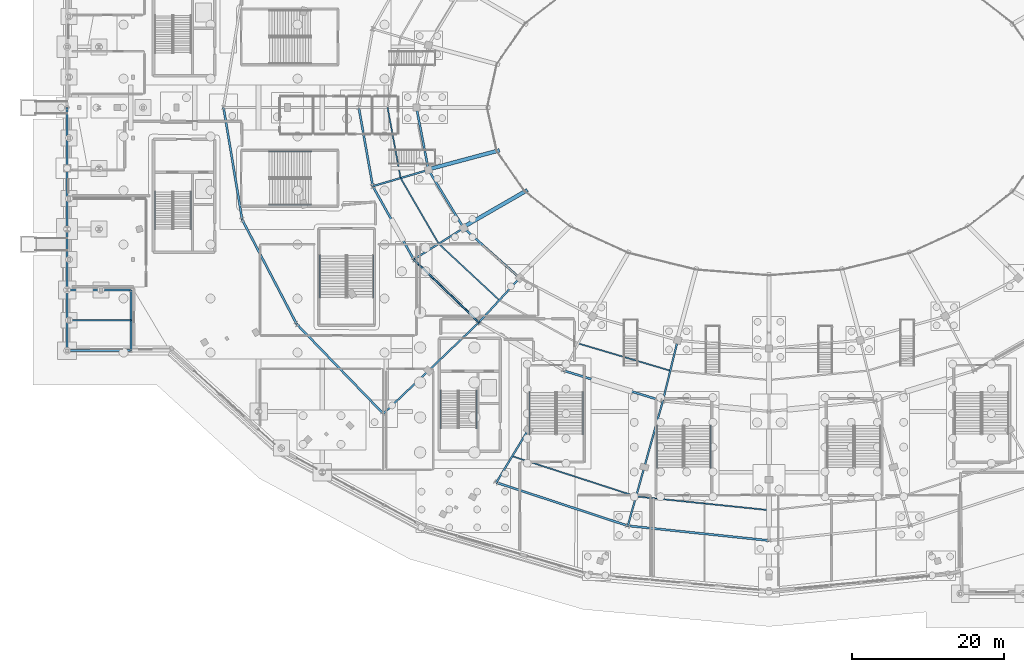
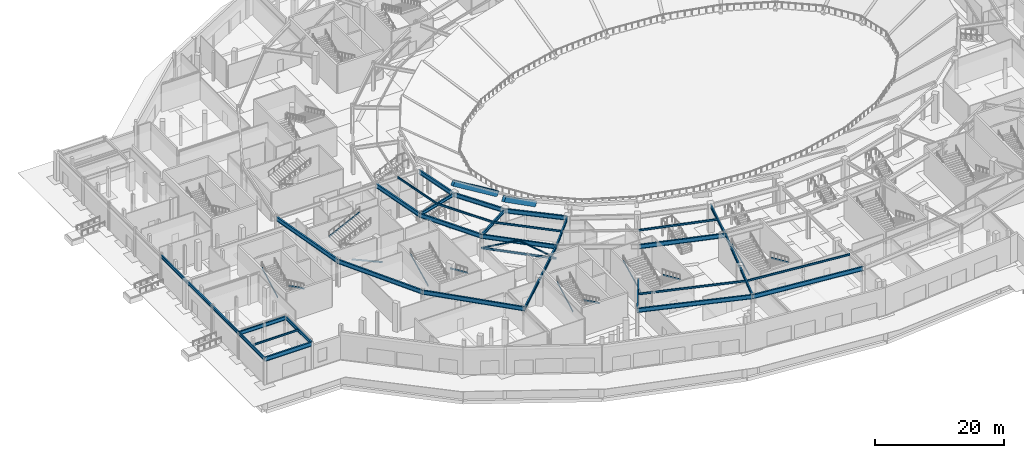
# One storey, part 33 of 93: 38 beams, 14 members.
"""IFC4 building model written with IfcOpenShell, lengths in metres."""

from ifc_helpers import new_model, si_unit, direction, frame, origin, origin_2d, place, context, subcontext, project, spatial, rectangle, hollow_circle, i_section, extrude, material, material_profile, profile_set, type_object, element, save


model = new_model("IFC4")

# Units and contexts
model_context = context("Model", 3, precision=1e-05, world=origin(), true_north=direction((0.0, 1.0)))
body_context = subcontext(model_context, "Body", "Model", "MODEL_VIEW")
ifc_project = project(units=[si_unit("LENGTHUNIT", "METRE"), si_unit("AREAUNIT", "SQUARE_METRE"), si_unit("VOLUMEUNIT", "CUBIC_METRE"), si_unit("PLANEANGLEUNIT", "RADIAN"), si_unit("MASSUNIT", "GRAM", prefix="KILO")], contexts=[model_context])

# Site, building, storey
site_placement = place(None, origin())
site = spatial("IfcSite", under=ifc_project, at=site_placement, CompositionType="ELEMENT")
building_placement = place(site_placement, origin())
building = spatial("IfcBuilding", under=site, at=building_placement, Name="Kalgoora Escarpment Arena", CompositionType="ELEMENT")
storey_placement = place(building_placement, origin())
storey = spatial("IfcBuildingStorey", under=building, at=storey_placement, Name="L00", CompositionType="ELEMENT", Elevation=0.0)

# Beams
ifc_material_1 = material(Name="Structural steel AS/NZS 3679 (300 MPa)", Category="steel")
ifc_material_profile_1 = material_profile(ifc_material_1, i_section(OverallWidth=0.1708984375, OverallDepth=0.35205078125, WebThickness=0.0068359375, FlangeThickness=0.009765625, at=origin_2d()))
ifc_profile_set_1 = profile_set([ifc_material_profile_1], Name="Structural steel AS/NZS 3679 (300 MPa)")
beam_type_1 = type_object("IfcBeamType", Name="BM-BEAM-360UB44.7", PredefinedType="BEAM", material=ifc_profile_set_1)
beam_1_placement = place(storey_placement, frame((45.634521484375, 44.0, 2.52392578125), z_axis=(0.719471992915, -0.694521454968, 0.0), x_axis=(0.694521454968, 0.719471992915, 0.0)))
element("IfcBeam", 1, at=beam_1_placement, inside=storey, type_object=beam_type_1, Name="L00 Portal brace collector beam 360UB44.7", PredefinedType="BEAM", context=body_context, shape_type="SweptSolid", body=[
    extrude(i_section(OverallWidth=0.1708984375, OverallDepth=0.35205078125, WebThickness=0.0068359375, FlangeThickness=0.009765625, at=origin_2d()), origin(), (0.0, 0.0, 1.0), 11.927978515625),
])
ifc_material_2 = material(Name="Structural steel AS/NZS 3679 (300 MPa)", Category="steel")
ifc_material_profile_2 = material_profile(ifc_material_2, i_section(OverallWidth=0.172119140625, OverallDepth=0.35888671875, WebThickness=0.008056640625, FlangeThickness=0.012939453125, at=origin_2d()))
ifc_profile_set_2 = profile_set([ifc_material_profile_2], Name="Structural steel AS/NZS 3679 (300 MPa)")
beam_type_2 = type_object("IfcBeamType", Name="BM-BEAM-360UB56.7", PredefinedType="BEAM", material=ifc_profile_set_2)
beam_2_placement = place(storey_placement, frame((42.195068359375, 64.0, 4.950439453125), z_axis=(0.181263825147, -0.983434505035, 0.0), x_axis=(0.983434505035, 0.181263825147, 0.0)))
element("IfcBeam", 2, at=beam_2_placement, inside=storey, type_object=beam_type_2, Name="L00 Concourse secondary ring beam 360UB56.7", PredefinedType="BEAM", context=body_context, shape_type="SweptSolid", body=[
    extrude(i_section(OverallWidth=0.172119140625, OverallDepth=0.35888671875, WebThickness=0.008056640625, FlangeThickness=0.012939453125, at=origin_2d()), origin(), (0.0, 0.0, 1.0), 9.4375),
])
beam_3_placement = place(storey_placement, frame((43.90576171875, 54.71875, 4.96044921875), z_axis=(0.501654133754, -0.865068280593, 0.0), x_axis=(0.865068280593, 0.501654133754, 0.0)))
element("IfcBeam", 3, at=beam_3_placement, inside=storey, type_object=beam_type_2, Name="L00 Concourse secondary ring beam 360UB56.7", PredefinedType="BEAM", context=body_context, shape_type="SweptSolid", body=[
    extrude(i_section(OverallWidth=0.172119140625, OverallDepth=0.35888671875, WebThickness=0.008056640625, FlangeThickness=0.012939453125, at=origin_2d()), origin(), (0.0, 0.0, 1.0), 9.997802734375),
])
beam_4_placement = place(storey_placement, frame((48.921142578125, 46.070068359375, 4.96044921875), z_axis=(0.731952134081, -0.681356054801, 0.0), x_axis=(0.681356054801, 0.731952134081, 0.0)))
element("IfcBeam", 4, at=beam_4_placement, inside=storey, type_object=beam_type_2, Name="L00 Concourse secondary ring beam 360UB56.7", PredefinedType="BEAM", context=body_context, shape_type="SweptSolid", body=[
    extrude(i_section(OverallWidth=0.172119140625, OverallDepth=0.35888671875, WebThickness=0.008056640625, FlangeThickness=0.012939453125, at=origin_2d()), origin(), (0.0, 0.0, 1.0), 10.900390625),
])
beam_5_placement = place(storey_placement, frame((67.297607421875, 32.9443359375, 4.96044921875), z_axis=(0.958914478104, -0.283695300775, 0.0), x_axis=(0.283695300775, 0.958914478104, 0.0)))
element("IfcBeam", 5, at=beam_5_placement, inside=storey, type_object=beam_type_2, Name="L00 Concourse secondary ring beam 360UB56.7", PredefinedType="BEAM", context=body_context, shape_type="SweptSolid", body=[
    extrude(i_section(OverallWidth=0.172119140625, OverallDepth=0.35888671875, WebThickness=0.008056640625, FlangeThickness=0.012939453125, at=origin_2d()), origin(), (0.0, 0.0, 1.0), 12.627197265625),
])
beam_6_placement = place(storey_placement, frame((58.60009765625, 18.1005859375, 4.96044921875), z_axis=(0.951103123122, -0.308873516489, 0.0), x_axis=(0.308873516489, 0.951103123122, 0.0)))
element("IfcBeam", 6, at=beam_6_placement, inside=storey, type_object=beam_type_2, Name="L00 Concourse secondary ring beam 360UB56.7", PredefinedType="BEAM", context=body_context, shape_type="SweptSolid", body=[
    extrude(i_section(OverallWidth=0.172119140625, OverallDepth=0.35888671875, WebThickness=0.008056640625, FlangeThickness=0.012939453125, at=origin_2d()), origin(), (0.0, 0.0, 1.0), 17.141845703125),
])
beam_7_placement = place(storey_placement, frame((74.90380859375, 12.805908203125, 4.9404296875), z_axis=(0.994715233773, -0.102672312238, 0.0), x_axis=(0.102672312238, 0.994715233773, 0.0)))
element("IfcBeam", 7, at=beam_7_placement, inside=storey, type_object=beam_type_2, Name="L00 Concourse secondary ring beam 360UB56.7", PredefinedType="BEAM", context=body_context, shape_type="SweptSolid", body=[
    extrude(i_section(OverallWidth=0.172119140625, OverallDepth=0.35888671875, WebThickness=0.008056640625, FlangeThickness=0.012939453125, at=origin_2d()), origin(), (0.0, 0.0, 1.0), 17.589111328125),
])
ifc_material_3 = material(Name="Structural steel AS/NZS 3679 (300 MPa)", Category="steel")
ifc_material_profile_3 = material_profile(ifc_material_3, i_section(OverallWidth=0.22900390625, OverallDepth=0.612060546875, WebThickness=0.011962890625, FlangeThickness=0.01953125, at=origin_2d()))
ifc_profile_set_3 = profile_set([ifc_material_profile_3], Name="Structural steel AS/NZS 3679 (300 MPa)")
beam_type_3 = type_object("IfcBeamType", Name="BM-GIRDER-610UB125", PredefinedType="USERDEFINED", material=ifc_profile_set_3)
beam_8_placement = place(storey_placement, frame((8.39990234375, 32.0, 4.833984375), z_axis=(0.0, 1.0, 0.0), x_axis=(-1.0, 0.0, 0.0)))
element("IfcBeam", 8, at=beam_8_placement, inside=storey, type_object=beam_type_3, Name="L00 Floor girder 610UB125", ObjectType="GIRDER", PredefinedType="USERDEFINED", context=body_context, shape_type="SweptSolid", body=[
    extrude(i_section(OverallWidth=0.22900390625, OverallDepth=0.612060546875, WebThickness=0.011962890625, FlangeThickness=0.01953125, at=origin_2d()), origin(), (0.0, 0.0, 1.0), 8.0),
])
beam_9_placement = place(storey_placement, frame((47.5712890625, 55.790283203125, 4.833984375), z_axis=(-0.959831929539, -0.280575599504, 0.0), x_axis=(0.280575599504, -0.959831929539, 0.0)))
element("IfcBeam", 9, at=beam_9_placement, inside=storey, type_object=beam_type_3, Name="L00 Radial concourse girder 610UB125", ObjectType="GIRDER", PredefinedType="USERDEFINED", context=body_context, shape_type="SweptSolid", body=[
    extrude(i_section(OverallWidth=0.22900390625, OverallDepth=0.612060546875, WebThickness=0.011962890625, FlangeThickness=0.01953125, at=origin_2d()), origin(), (0.0, 0.0, 1.0), 7.63818359375),
])
beam_10_placement = place(storey_placement, frame((52.207763671875, 48.139892578125, 4.833984375), z_axis=(-0.846164080711, -0.532922460133, 0.0), x_axis=(0.532922460133, -0.846164080711, 0.0)))
element("IfcBeam", 10, at=beam_10_placement, inside=storey, type_object=beam_type_3, Name="L00 Radial concourse girder 610UB125", ObjectType="GIRDER", PredefinedType="USERDEFINED", context=body_context, shape_type="SweptSolid", body=[
    extrude(i_section(OverallWidth=0.22900390625, OverallDepth=0.612060546875, WebThickness=0.011962890625, FlangeThickness=0.01953125, at=origin_2d()), origin(), (0.0, 0.0, 1.0), 7.768310546875),
])
beam_11_placement = place(storey_placement, frame((59.583251953125, 41.570556640625, 4.833984375), z_axis=(-0.675731588221, -0.737147760412, 0.0), x_axis=(0.737147760412, -0.675731588221, 0.0)))
element("IfcBeam", 11, at=beam_11_placement, inside=storey, type_object=beam_type_3, Name="L00 Radial concourse girder 610UB125", ObjectType="GIRDER", PredefinedType="USERDEFINED", context=body_context, shape_type="SweptSolid", body=[
    extrude(i_section(OverallWidth=0.22900390625, OverallDepth=0.612060546875, WebThickness=0.011962890625, FlangeThickness=0.01953125, at=origin_2d()), origin(), (0.0, 0.0, 1.0), 7.9423828125),
])
beam_12_placement = place(storey_placement, frame((54.21630859375, 35.7158203125, 4.833984375), z_axis=(-0.722313931554, -0.691565314546, 0.0), x_axis=(0.691565314546, -0.722313931554, 0.0)))
element("IfcBeam", 12, at=beam_12_placement, inside=storey, type_object=beam_type_3, Name="L00 Radial concourse girder 610UB125", ObjectType="GIRDER", PredefinedType="USERDEFINED", context=body_context, shape_type="SweptSolid", body=[
    extrude(i_section(OverallWidth=0.22900390625, OverallDepth=0.612060546875, WebThickness=0.011962890625, FlangeThickness=0.01953125, at=origin_2d()), origin(), (0.0, 0.0, 1.0), 9.202392578125),
])
beam_13_placement = place(storey_placement, frame((47.5693359375, 29.351806640625, 4.833984375), z_axis=(-0.724130144905, -0.689663347757, 0.0), x_axis=(0.689663347757, -0.724130144905, 0.0)))
element("IfcBeam", 13, at=beam_13_placement, inside=storey, type_object=beam_type_3, Name="L00 Radial concourse girder 610UB125", ObjectType="GIRDER", PredefinedType="USERDEFINED", context=body_context, shape_type="SweptSolid", body=[
    extrude(i_section(OverallWidth=0.22900390625, OverallDepth=0.612060546875, WebThickness=0.011962890625, FlangeThickness=0.01953125, at=origin_2d()), origin(), (0.0, 0.0, 1.0), 8.20263671875),
])
beam_14_placement = place(storey_placement, frame((60.699951171875, 21.564697265625, 4.833984375), z_axis=(-0.518407902139, -0.85513346736, 0.0), x_axis=(0.85513346736, -0.518407902139, 0.0)))
element("IfcBeam", 14, at=beam_14_placement, inside=storey, type_object=beam_type_3, Name="L00 Radial concourse girder 610UB125", ObjectType="GIRDER", PredefinedType="USERDEFINED", context=body_context, shape_type="SweptSolid", body=[
    extrude(i_section(OverallWidth=0.22900390625, OverallDepth=0.612060546875, WebThickness=0.011962890625, FlangeThickness=0.01953125, at=origin_2d()), origin(), (0.0, 0.0, 1.0), 8.1015625),
])
beam_15_placement = place(storey_placement, frame((80.38818359375, 33.36083984375, 4.833984375), z_axis=(-0.238522773309, -0.971136904156, 0.0), x_axis=(0.971136904156, -0.238522773309, 0.0)))
element("IfcBeam", 15, at=beam_15_placement, inside=storey, type_object=beam_type_3, Name="L00 Radial concourse girder 610UB125", ObjectType="GIRDER", PredefinedType="USERDEFINED", context=body_context, shape_type="SweptSolid", body=[
    extrude(i_section(OverallWidth=0.22900390625, OverallDepth=0.612060546875, WebThickness=0.011962890625, FlangeThickness=0.01953125, at=origin_2d()), origin(), (0.0, 0.0, 1.0), 8.235595703125),
])
beam_16_placement = place(storey_placement, frame((78.423828125, 25.363037109375, 4.833984375), z_axis=(-0.269498512386, -0.963000805722, 0.0), x_axis=(0.963000805722, -0.269498512386, 0.0)))
element("IfcBeam", 16, at=beam_16_placement, inside=storey, type_object=beam_type_3, Name="L00 Radial concourse girder 610UB125", ObjectType="GIRDER", PredefinedType="USERDEFINED", context=body_context, shape_type="SweptSolid", body=[
    extrude(i_section(OverallWidth=0.22900390625, OverallDepth=0.612060546875, WebThickness=0.011962890625, FlangeThickness=0.01953125, at=origin_2d()), origin(), (0.0, 0.0, 1.0), 9.02734375),
])
beam_17_placement = place(storey_placement, frame((75.990966796875, 16.669677734375, 4.833984375), z_axis=(-0.27082660355, -0.962628147734, 0.0), x_axis=(0.962628147734, -0.27082660355, 0.0)))
element("IfcBeam", 17, at=beam_17_placement, inside=storey, type_object=beam_type_3, Name="L00 Radial concourse girder 610UB125", ObjectType="GIRDER", PredefinedType="USERDEFINED", context=body_context, shape_type="SweptSolid", body=[
    extrude(i_section(OverallWidth=0.22900390625, OverallDepth=0.612060546875, WebThickness=0.011962890625, FlangeThickness=0.01953125, at=origin_2d()), origin(), (0.0, 0.0, 1.0), 8.027587890625),
])
ifc_material_4 = material(Name="Structural steel AS/NZS 3679 (300 MPa)", Category="steel")
ifc_material_profile_4 = material_profile(ifc_material_4, i_section(OverallWidth=0.25, OverallDepth=0.699951171875, WebThickness=0.010009765625, FlangeThickness=0.02001953125, at=origin_2d()))
ifc_profile_set_4 = profile_set([ifc_material_profile_4], Name="Structural steel AS/NZS 3679 (300 MPa)")
beam_type_4 = type_object("IfcBeamType", Name="BM-GIRDER-700WB130", PredefinedType="USERDEFINED", material=ifc_profile_set_4)
beam_18_placement = place(storey_placement, frame((0.0, 40.0, 4.7900390625), z_axis=(1.0, 0.0, 0.0), x_axis=(0.0, 1.0, 0.0)))
element("IfcBeam", 18, at=beam_18_placement, inside=storey, type_object=beam_type_4, Name="L00 Floor girder 700WB130", ObjectType="GIRDER", PredefinedType="USERDEFINED", context=body_context, shape_type="SweptSolid", body=[
    extrude(i_section(OverallWidth=0.25, OverallDepth=0.699951171875, WebThickness=0.010009765625, FlangeThickness=0.02001953125, at=origin_2d()), origin(), (0.0, 0.0, 1.0), 8.39990234375),
])
ifc_material_5 = material(Name="Structural steel AS/NZS 3679 (300 MPa)", Category="steel")
ifc_material_profile_5 = material_profile(ifc_material_5, i_section(OverallWidth=0.27490234375, OverallDepth=0.800048828125, WebThickness=0.011962890625, FlangeThickness=0.02197265625, at=origin_2d()))
ifc_profile_set_5 = profile_set([ifc_material_profile_5], Name="Structural steel AS/NZS 3679 (300 MPa)")
beam_type_5 = type_object("IfcBeamType", Name="BM-GIRDER-800WB168", PredefinedType="USERDEFINED", material=ifc_profile_set_5)
beam_19_placement = place(storey_placement, frame((45.989990234375, 64.0, 4.72998046875), z_axis=(0.189136565421, -0.981950792871, 0.0), x_axis=(0.981950792871, 0.189136565421, 0.0)))
element("IfcBeam", 19, at=beam_19_placement, inside=storey, type_object=beam_type_5, Name="L00 Circumferential concourse girder RMID 800WB168", ObjectType="GIRDER", PredefinedType="USERDEFINED", context=body_context, shape_type="SweptSolid", body=[
    extrude(i_section(OverallWidth=0.27490234375, OverallDepth=0.800048828125, WebThickness=0.011962890625, FlangeThickness=0.02197265625, at=origin_2d()), origin(), (0.0, 0.0, 1.0), 8.360595703125),
])
beam_20_placement = place(storey_placement, frame((38.39990234375, 64.0, 4.72998046875), z_axis=(0.174995823084, -0.984569175784, 0.0), x_axis=(0.984569175784, 0.174995823084, 0.0)))
element("IfcBeam", 20, at=beam_20_placement, inside=storey, type_object=beam_type_5, Name="L00 Circumferential concourse girder RMAIN 800WB168", ObjectType="GIRDER", PredefinedType="USERDEFINED", context=body_context, shape_type="SweptSolid", body=[
    extrude(i_section(OverallWidth=0.27490234375, OverallDepth=0.800048828125, WebThickness=0.011962890625, FlangeThickness=0.02197265625, at=origin_2d()), origin(), (0.0, 0.0, 1.0), 10.51513671875),
])
beam_21_placement = place(storey_placement, frame((47.5712890625, 55.790283203125, 4.739990234375), z_axis=(0.518291433659, -0.855204063248, 0.0), x_axis=(0.855204063248, 0.518291433659, 0.0)))
element("IfcBeam", 21, at=beam_21_placement, inside=storey, type_object=beam_type_5, Name="L00 Circumferential concourse girder RMID 800WB168", ObjectType="GIRDER", PredefinedType="USERDEFINED", context=body_context, shape_type="SweptSolid", body=[
    extrude(i_section(OverallWidth=0.27490234375, OverallDepth=0.800048828125, WebThickness=0.011962890625, FlangeThickness=0.02197265625, at=origin_2d()), origin(), (0.0, 0.0, 1.0), 8.94580078125),
])
beam_22_placement = place(storey_placement, frame((40.239990234375, 53.647216796875, 4.739990234375), z_axis=(0.488058469962, -0.872810935941, 0.0), x_axis=(0.872810935941, 0.488058469962, 0.0)))
element("IfcBeam", 22, at=beam_22_placement, inside=storey, type_object=beam_type_5, Name="L00 Circumferential concourse girder RMAIN 800WB168", ObjectType="GIRDER", PredefinedType="USERDEFINED", context=body_context, shape_type="SweptSolid", body=[
    extrude(i_section(OverallWidth=0.27490234375, OverallDepth=0.800048828125, WebThickness=0.011962890625, FlangeThickness=0.02197265625, at=origin_2d()), origin(), (0.0, 0.0, 1.0), 11.052978515625),
])
beam_23_placement = place(storey_placement, frame((52.207763671875, 48.139892578125, 4.739990234375), z_axis=(0.746737965203, -0.665118343849, 0.0), x_axis=(0.665118343849, 0.746737965203, 0.0)))
element("IfcBeam", 23, at=beam_23_placement, inside=storey, type_object=beam_type_5, Name="L00 Circumferential concourse girder RMID 800WB168", ObjectType="GIRDER", PredefinedType="USERDEFINED", context=body_context, shape_type="SweptSolid", body=[
    extrude(i_section(OverallWidth=0.27490234375, OverallDepth=0.800048828125, WebThickness=0.011962890625, FlangeThickness=0.02197265625, at=origin_2d()), origin(), (0.0, 0.0, 1.0), 9.876953125),
])
beam_24_placement = place(storey_placement, frame((45.634521484375, 44.0, 4.739990234375), z_axis=(0.719471992915, -0.694521454968, 0.0), x_axis=(0.694521454968, 0.719471992915, 0.0)))
element("IfcBeam", 24, at=beam_24_placement, inside=storey, type_object=beam_type_5, Name="L00 Circumferential concourse girder RMAIN 800WB168", ObjectType="GIRDER", PredefinedType="USERDEFINED", context=body_context, shape_type="SweptSolid", body=[
    extrude(i_section(OverallWidth=0.27490234375, OverallDepth=0.800048828125, WebThickness=0.011962890625, FlangeThickness=0.02197265625, at=origin_2d()), origin(), (0.0, 0.0, 1.0), 11.927978515625),
])
beam_25_placement = place(storey_placement, frame((65.39990234375, 29.35888671875, 4.739990234375), z_axis=(0.956016223512, -0.293313791666, 0.0), x_axis=(0.293313791666, 0.956016223512, 0.0)))
element("IfcBeam", 25, at=beam_25_placement, inside=storey, type_object=beam_type_5, Name="L00 Circumferential concourse girder RMAIN 800WB168", ObjectType="GIRDER", PredefinedType="USERDEFINED", context=body_context, shape_type="SweptSolid", body=[
    extrude(i_section(OverallWidth=0.27490234375, OverallDepth=0.800048828125, WebThickness=0.011962890625, FlangeThickness=0.02197265625, at=origin_2d()), origin(), (0.0, 0.0, 1.0), 13.623046875),
])
ifc_material_6 = material(Name="Structural steel AS/NZS 3679 (300 MPa)", Category="steel")
ifc_material_profile_6 = material_profile(ifc_material_6, i_section(OverallWidth=0.172119140625, OverallDepth=0.35888671875, WebThickness=0.008056640625, FlangeThickness=0.012939453125, at=origin_2d()))
ifc_profile_set_6 = profile_set([ifc_material_profile_6], Name="Structural steel AS/NZS 3679 (300 MPa)")
beam_type_6 = type_object("IfcBeamType", Name="BM-JOIST-360UB56.7", PredefinedType="JOIST", material=ifc_profile_set_6)
beam_26_placement = place(storey_placement, frame((0.0, 36.0, 4.96044921875), z_axis=(1.0, 0.0, 0.0), x_axis=(0.0, 1.0, 0.0)))
element("IfcBeam", 26, at=beam_26_placement, inside=storey, type_object=beam_type_6, Name="L00 Secondary composite floor joist 360UB56.7", PredefinedType="JOIST", context=body_context, shape_type="SweptSolid", body=[
    extrude(i_section(OverallWidth=0.172119140625, OverallDepth=0.35888671875, WebThickness=0.008056640625, FlangeThickness=0.012939453125, at=origin_2d()), origin(), (0.0, 0.0, 1.0), 8.39990234375),
])
ifc_material_7 = material(Name="Precast concrete N50 (fc' 50 MPa)", Category="concrete")
ifc_material_profile_7 = material_profile(ifc_material_7, rectangle(XDim=0.5, YDim=0.949951171875, at=origin_2d()))
ifc_profile_set_7 = profile_set([ifc_material_profile_7], Name="Precast concrete N50 (fc' 50 MPa)")
beam_type_7 = type_object("IfcBeamType", Name="BM-RAKER-LOW", PredefinedType="USERDEFINED", material=ifc_profile_set_7)
beam_27_placement = place(storey_placement, frame((56.66064453125, 58.305908203125, 0.25), z_axis=(-0.790150260319, -0.211720576058, 0.575184286809), x_axis=(0.258819560533, -0.96592568818, 0.0)))
element("IfcBeam", 27, at=beam_27_placement, inside=storey, type_object=beam_type_7, Name="Lower bowl precast RAKER girder R14", ObjectType="GIRDER", PredefinedType="USERDEFINED", context=body_context, shape_type="SweptSolid", body=[
    extrude(rectangle(XDim=0.5, YDim=0.949951171875, at=origin_2d()), origin(), (0.0, 0.0, 1.0), 11.7353515625),
])
beam_28_placement = place(storey_placement, frame((60.357177734375, 53.0, 0.25), z_axis=(-0.708437961075, -0.409015057047, 0.575171573025), x_axis=(0.499998358424, -0.866026351547, 0.0)))
element("IfcBeam", 28, at=beam_28_placement, inside=storey, type_object=beam_type_7, Name="Lower bowl precast RAKER girder R15", ObjectType="GIRDER", PredefinedType="USERDEFINED", context=body_context, shape_type="SweptSolid", body=[
    extrude(rectangle(XDim=0.5, YDim=0.949951171875, at=origin_2d()), origin(), (0.0, 0.0, 1.0), 11.735595703125),
])
ifc_material_8 = material(Name="Structural steel AS/NZS 3679 (300 MPa)", Category="steel")
ifc_material_profile_8 = material_profile(ifc_material_8, i_section(OverallWidth=0.22900390625, OverallDepth=0.612060546875, WebThickness=0.011962890625, FlangeThickness=0.01953125, at=origin_2d()))
ifc_profile_set_8 = profile_set([ifc_material_profile_8], Name="Structural steel AS/NZS 3679 (300 MPa)")
beam_type_8 = type_object("IfcBeamType", Name="BM-SPANDREL-610UB125", PredefinedType="SPANDREL", material=ifc_profile_set_8)
for number, where, z_axis, x_axis, name in (
    (29, (0.0, 32.0, 4.843994140625), (0.0, 1.0, 0.0), (-1.0, 0.0, 0.0), "L00 Floor girder 610UB125"),
    (30, (0.0, 40.0, 4.843994140625), (0.0, 1.0, 0.0), (-1.0, 0.0, 0.0), "L00 Floor girder 610UB125"),
    (31, (0.0, 48.0, 4.843994140625), (0.0, 1.0, 0.0), (-1.0, 0.0, 0.0), "L00 Floor girder 610UB125"),
    (32, (0.0, 56.0, 4.843994140625), (0.0, 1.0, 0.0), (-1.0, 0.0, 0.0), "L00 Floor girder 610UB125"),
):
    element("IfcBeam", number, at=place(storey_placement, frame(where, z_axis=z_axis, x_axis=x_axis)), inside=storey, type_object=beam_type_8, Name=name, PredefinedType="SPANDREL", context=body_context, shape_type="SweptSolid", body=[
        extrude(i_section(OverallWidth=0.22900390625, OverallDepth=0.612060546875, WebThickness=0.011962890625, FlangeThickness=0.01953125, at=origin_2d()), origin(), (0.0, 0.0, 1.0), 8.0),
    ])
ifc_material_9 = material(Name="Structural steel AS/NZS 3679 (300 MPa)", Category="steel")
ifc_material_profile_9 = material_profile(ifc_material_9, i_section(OverallWidth=0.27490234375, OverallDepth=0.800048828125, WebThickness=0.011962890625, FlangeThickness=0.02197265625, at=origin_2d()))
ifc_profile_set_9 = profile_set([ifc_material_profile_9], Name="Structural steel AS/NZS 3679 (300 MPa)")
beam_type_9 = type_object("IfcBeamType", Name="BM-SPANDREL-800WB168", PredefinedType="SPANDREL", material=ifc_profile_set_9)
beam_29_placement = place(storey_placement, frame((0.0, 32.0, 4.75), z_axis=(1.0, 0.0, 0.0), x_axis=(0.0, 1.0, 0.0)))
element("IfcBeam", 33, at=beam_29_placement, inside=storey, type_object=beam_type_9, Name="L00 Floor girder 800WB168", PredefinedType="SPANDREL", context=body_context, shape_type="SweptSolid", body=[
    extrude(i_section(OverallWidth=0.27490234375, OverallDepth=0.800048828125, WebThickness=0.011962890625, FlangeThickness=0.02197265625, at=origin_2d()), origin(), (0.0, 0.0, 1.0), 8.39990234375),
])
beam_30_placement = place(storey_placement, frame((20.60009765625, 64.0, 4.72998046875), z_axis=(0.163586163215, -0.98652905036, 0.0), x_axis=(0.98652905036, 0.163586163215, 0.0)))
element("IfcBeam", 34, at=beam_30_placement, inside=storey, type_object=beam_type_9, Name="L00 Circumferential concourse girder RCONC2 800WB168", PredefinedType="SPANDREL", context=body_context, shape_type="SweptSolid", body=[
    extrude(i_section(OverallWidth=0.27490234375, OverallDepth=0.800048828125, WebThickness=0.011962890625, FlangeThickness=0.02197265625, at=origin_2d()), origin(), (0.0, 0.0, 1.0), 14.9541015625),
])
beam_31_placement = place(storey_placement, frame((23.04638671875, 49.247314453125, 4.739990234375), z_axis=(0.462595600895, -0.886569405085, 0.0), x_axis=(0.886569405085, 0.462595600895, 0.0)))
element("IfcBeam", 35, at=beam_31_placement, inside=storey, type_object=beam_type_9, Name="L00 Circumferential concourse girder RCONC2 800WB168", PredefinedType="SPANDREL", context=body_context, shape_type="SweptSolid", body=[
    extrude(i_section(OverallWidth=0.27490234375, OverallDepth=0.800048828125, WebThickness=0.011962890625, FlangeThickness=0.02197265625, at=origin_2d()), origin(), (0.0, 0.0, 1.0), 15.506103515625),
])
beam_32_placement = place(storey_placement, frame((30.219482421875, 35.5, 4.739990234375), z_axis=(0.694974435465, -0.719034445663, 0.0), x_axis=(0.719034445663, 0.694974435465, 0.0)))
element("IfcBeam", 36, at=beam_32_placement, inside=storey, type_object=beam_type_9, Name="L00 Circumferential concourse girder RCONC2 800WB168", PredefinedType="SPANDREL", context=body_context, shape_type="SweptSolid", body=[
    extrude(i_section(OverallWidth=0.27490234375, OverallDepth=0.800048828125, WebThickness=0.011962890625, FlangeThickness=0.02197265625, at=origin_2d()), origin(), (0.0, 0.0, 1.0), 16.418212890625),
])
beam_33_placement = place(storey_placement, frame((56.5, 14.63671875, 4.739990234375), z_axis=(0.949954555117, -0.312388129115, 0.0), x_axis=(0.312388129115, 0.949954555117, 0.0)))
element("IfcBeam", 37, at=beam_33_placement, inside=storey, type_object=beam_type_9, Name="L00 Circumferential concourse girder RCONC2 800WB168", PredefinedType="SPANDREL", context=body_context, shape_type="SweptSolid", body=[
    extrude(i_section(OverallWidth=0.27490234375, OverallDepth=0.800048828125, WebThickness=0.011962890625, FlangeThickness=0.02197265625, at=origin_2d()), origin(), (0.0, 0.0, 1.0), 18.229248046875),
])
beam_34_placement = place(storey_placement, frame((73.81689453125, 8.942138671875, 4.719970703125), z_axis=(0.994583005347, -0.103945396599, 0.0), x_axis=(0.103945396599, 0.994583005347, 0.0)))
element("IfcBeam", 38, at=beam_34_placement, inside=storey, type_object=beam_type_9, Name="L00 Circumferential concourse girder RCONC2 800WB168", PredefinedType="SPANDREL", context=body_context, shape_type="SweptSolid", body=[
    extrude(i_section(OverallWidth=0.27490234375, OverallDepth=0.800048828125, WebThickness=0.011962890625, FlangeThickness=0.02197265625, at=origin_2d()), origin(), (0.0, 0.0, 1.0), 18.684326171875),
])

# Members
ifc_material_10 = material(Name="Structural steel C350 (350 MPa)", Category="steel")
ifc_material_profile_10 = material_profile(ifc_material_10, hollow_circle(Radius=0.136474609375, WallThickness=0.00927734375, at=origin_2d()))
ifc_profile_set_10 = profile_set([ifc_material_profile_10], Name="Structural steel C350 (350 MPa)")
member_type_1 = type_object("IfcMemberType", Name="MEM-BRACE-CHS273", PredefinedType="BRACE", material=ifc_profile_set_10)
for number, where, z_axis, x_axis, name in (
    (39, (45.634521484375, 44.0, 2.52001953125), (0.66628014201, -0.643192539934, 0.377324964633), (0.694531682696, 0.719462119733, 0.0), "L00 concentric lateral brace R15-1"),
    (40, (54.21630859375, 35.7158203125, 2.52001953125), (-0.666301222231, 0.643176293603, 0.377315433822), (-0.694511227401, -0.71948186566, 0.0), "L00 concentric lateral brace R15-2"),
):
    element("IfcMember", number, at=place(storey_placement, frame(where, z_axis=z_axis, x_axis=x_axis)), inside=storey, type_object=member_type_1, Name=name, PredefinedType="BRACE", context=body_context, shape_type="SweptSolid", body=[
        extrude(hollow_circle(Radius=0.136474609375, WallThickness=0.00927734375, at=origin_2d()), origin(), (0.0, 0.0, 1.0), 6.43994140625),
    ])
ifc_material_11 = material(Name="Structural steel AS/NZS 3679 (300 MPa)", Category="steel")
ifc_material_profile_11 = material_profile(ifc_material_11, i_section(OverallWidth=0.090087890625, OverallDepth=0.300048828125, WebThickness=0.008056640625, FlangeThickness=0.01611328125, at=origin_2d()))
ifc_profile_set_11 = profile_set([ifc_material_profile_11], Name="Structural steel AS/NZS 3679 (300 MPa)")
member_type_2 = type_object("IfcMemberType", Name="MEM-STRINGER-PFC", PredefinedType="STRINGER", material=ifc_profile_set_11)
member_1_placement = place(storey_placement, frame((16.330078125, 52.909912109375, 0.219970703125), z_axis=(0.0, -0.89551991786, 0.445021433996), x_axis=(1.0, 0.0, 0.0)))
element("IfcMember", 41, at=member_1_placement, inside=storey, type_object=member_type_2, Name="ST02 L00 steel stair stringer 1", PredefinedType="STRINGER", context=body_context, shape_type="SweptSolid", body=[
    extrude(i_section(OverallWidth=0.090087890625, OverallDepth=0.300048828125, WebThickness=0.008056640625, FlangeThickness=0.01611328125, at=origin_2d()), origin(), (0.0, 0.0, 1.0), 5.482666015625),
])
member_2_placement = place(storey_placement, frame((11.570068359375, 48.0, 2.659912109375), z_axis=(0.0, 0.876235225934, 0.481883625818), x_axis=(-1.0, 0.0, 0.0)))
element("IfcMember", 42, at=member_2_placement, inside=storey, type_object=member_type_2, Name="ST02 L00 steel stair stringer 2", PredefinedType="STRINGER", context=body_context, shape_type="SweptSolid", body=[
    extrude(i_section(OverallWidth=0.090087890625, OverallDepth=0.300048828125, WebThickness=0.008056640625, FlangeThickness=0.01611328125, at=origin_2d()), origin(), (0.0, 0.0, 1.0), 5.603515625),
])
member_3_placement = place(storey_placement, frame((53.929931640625, 26.7099609375, 0.219970703125), z_axis=(0.0, -0.89551991786, 0.445021433996), x_axis=(1.0, 0.0, 0.0)))
element("IfcMember", 43, at=member_3_placement, inside=storey, type_object=member_type_2, Name="ST05 L00 steel stair stringer 1", PredefinedType="STRINGER", context=body_context, shape_type="SweptSolid", body=[
    extrude(i_section(OverallWidth=0.090087890625, OverallDepth=0.300048828125, WebThickness=0.008056640625, FlangeThickness=0.01611328125, at=origin_2d()), origin(), (0.0, 0.0, 1.0), 5.482666015625),
])
member_4_placement = place(storey_placement, frame((49.169921875, 21.800048828125, 2.659912109375), z_axis=(0.0, 0.876235225934, 0.481883625818), x_axis=(-1.0, 0.0, 0.0)))
element("IfcMember", 44, at=member_4_placement, inside=storey, type_object=member_type_2, Name="ST05 L00 steel stair stringer 2", PredefinedType="STRINGER", context=body_context, shape_type="SweptSolid", body=[
    extrude(i_section(OverallWidth=0.090087890625, OverallDepth=0.300048828125, WebThickness=0.008056640625, FlangeThickness=0.01611328125, at=origin_2d()), origin(), (0.0, 0.0, 1.0), 5.603515625),
])
member_5_placement = place(storey_placement, frame((67.929931640625, 26.510009765625, 0.219970703125), z_axis=(0.0, -0.914229045155, 0.405197794904), x_axis=(1.0, 0.0, 0.0)))
element("IfcMember", 45, at=member_5_placement, inside=storey, type_object=member_type_2, Name="ST13 L00 steel stair stringer 1", PredefinedType="STRINGER", context=body_context, shape_type="SweptSolid", body=[
    extrude(i_section(OverallWidth=0.090087890625, OverallDepth=0.300048828125, WebThickness=0.008056640625, FlangeThickness=0.01611328125, at=origin_2d()), origin(), (0.0, 0.0, 1.0), 6.021484375),
])
member_6_placement = place(storey_placement, frame((60.8701171875, 21.0048828125, 2.659912109375), z_axis=(0.0, 0.897817331148, 0.440368073196), x_axis=(-1.0, 0.0, 0.0)))
element("IfcMember", 46, at=member_6_placement, inside=storey, type_object=member_type_2, Name="ST13 L00 steel stair stringer 2", PredefinedType="STRINGER", context=body_context, shape_type="SweptSolid", body=[
    extrude(i_section(OverallWidth=0.090087890625, OverallDepth=0.300048828125, WebThickness=0.008056640625, FlangeThickness=0.01611328125, at=origin_2d()), origin(), (0.0, 0.0, 1.0), 6.131591796875),
])
member_7_placement = place(storey_placement, frame((84.72998046875, 22.110107421875, 0.219970703125), z_axis=(0.0, -0.914229045155, 0.405197794904), x_axis=(1.0, 0.0, 0.0)))
element("IfcMember", 47, at=member_7_placement, inside=storey, type_object=member_type_2, Name="ST14 L00 steel stair stringer 1", PredefinedType="STRINGER", context=body_context, shape_type="SweptSolid", body=[
    extrude(i_section(OverallWidth=0.090087890625, OverallDepth=0.300048828125, WebThickness=0.008056640625, FlangeThickness=0.01611328125, at=origin_2d()), origin(), (0.0, 0.0, 1.0), 6.021484375),
])
member_8_placement = place(storey_placement, frame((77.669921875, 16.60498046875, 2.659912109375), z_axis=(0.0, 0.897817331148, 0.440368073196), x_axis=(-1.0, 0.0, 0.0)))
element("IfcMember", 48, at=member_8_placement, inside=storey, type_object=member_type_2, Name="ST14 L00 steel stair stringer 2", PredefinedType="STRINGER", context=body_context, shape_type="SweptSolid", body=[
    extrude(i_section(OverallWidth=0.090087890625, OverallDepth=0.300048828125, WebThickness=0.008056640625, FlangeThickness=0.01611328125, at=origin_2d()), origin(), (0.0, 0.0, 1.0), 6.131591796875),
])
member_9_placement = place(storey_placement, frame((32.110107421875, 51.169921875, 0.219970703125), z_axis=(-0.914229045155, 0.0, 0.405197794904), x_axis=(0.0, -1.0, 0.0)))
element("IfcMember", 49, at=member_9_placement, inside=storey, type_object=member_type_2, Name="ST18 L00 steel stair stringer 1", PredefinedType="STRINGER", context=body_context, shape_type="SweptSolid", body=[
    extrude(i_section(OverallWidth=0.090087890625, OverallDepth=0.300048828125, WebThickness=0.008056640625, FlangeThickness=0.01611328125, at=origin_2d()), origin(), (0.0, 0.0, 1.0), 6.021484375),
])
member_10_placement = place(storey_placement, frame((26.60498046875, 58.22998046875, 2.659912109375), z_axis=(0.897817331148, 0.0, 0.440368073196), x_axis=(0.0, 1.0, 0.0)))
element("IfcMember", 50, at=member_10_placement, inside=storey, type_object=member_type_2, Name="ST18 L00 steel stair stringer 2", PredefinedType="STRINGER", context=body_context, shape_type="SweptSolid", body=[
    extrude(i_section(OverallWidth=0.090087890625, OverallDepth=0.300048828125, WebThickness=0.008056640625, FlangeThickness=0.01611328125, at=origin_2d()), origin(), (0.0, 0.0, 1.0), 6.131591796875),
])
member_11_placement = place(storey_placement, frame((40.330078125, 44.510009765625, 0.219970703125), z_axis=(0.0, -0.914229045155, 0.405197794904), x_axis=(1.0, 0.0, 0.0)))
element("IfcMember", 51, at=member_11_placement, inside=storey, type_object=member_type_2, Name="ST20 L00 steel stair stringer 1", PredefinedType="STRINGER", context=body_context, shape_type="SweptSolid", body=[
    extrude(i_section(OverallWidth=0.090087890625, OverallDepth=0.300048828125, WebThickness=0.008056640625, FlangeThickness=0.01611328125, at=origin_2d()), origin(), (0.0, 0.0, 1.0), 6.021484375),
])
member_12_placement = place(storey_placement, frame((33.27001953125, 39.0048828125, 2.659912109375), z_axis=(0.0, 0.897817331148, 0.440368073196), x_axis=(-1.0, 0.0, 0.0)))
element("IfcMember", 52, at=member_12_placement, inside=storey, type_object=member_type_2, Name="ST20 L00 steel stair stringer 2", PredefinedType="STRINGER", context=body_context, shape_type="SweptSolid", body=[
    extrude(i_section(OverallWidth=0.090087890625, OverallDepth=0.300048828125, WebThickness=0.008056640625, FlangeThickness=0.01611328125, at=origin_2d()), origin(), (0.0, 0.0, 1.0), 6.131591796875),
])

save(model, "model.ifc")
